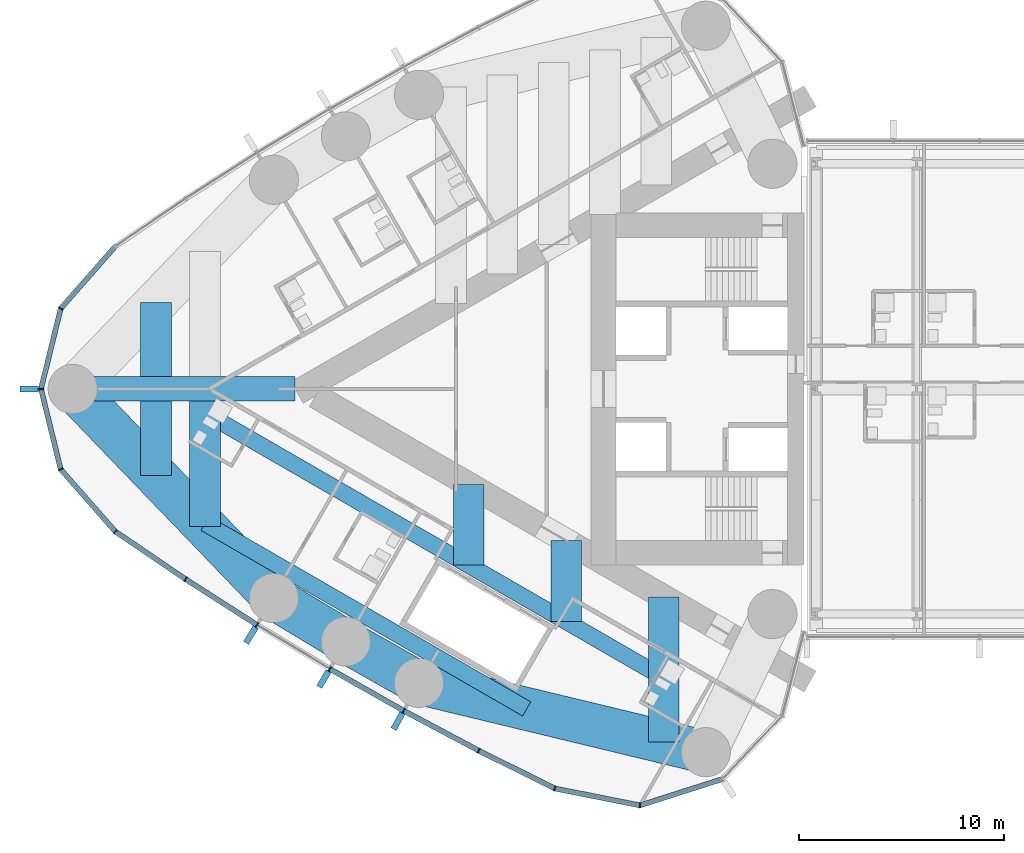
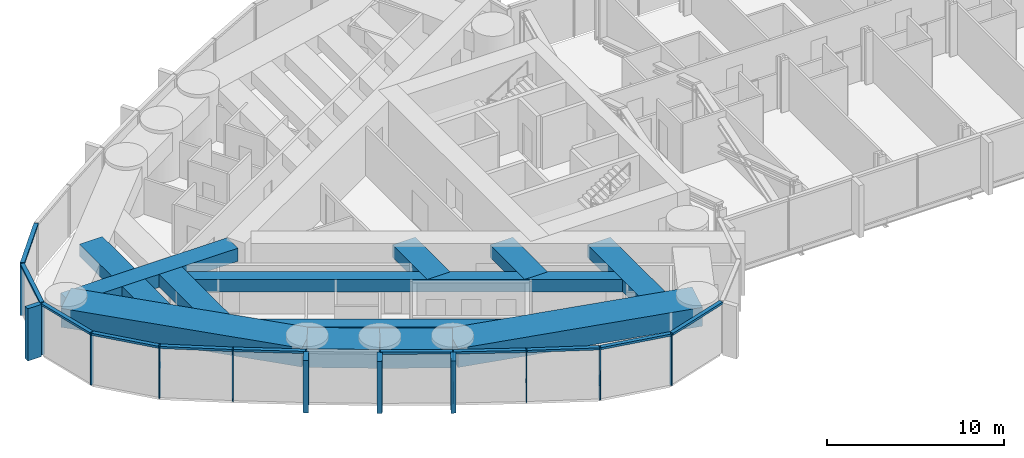
# One storey, part 2 of 23: 26 members, 13 beams, 1 element without a shape of its own.
"""IFC4 building model written with IfcOpenShell, lengths in metres."""

from ifc_helpers import new_model, si_unit, direction, frame, origin, origin_2d, place, context, subcontext, project, spatial, rectangle, hollow_rectangle, extrude, material, material_profile, profile_set, type_object, element, aggregate, save


model = new_model("IFC4")

# Units and contexts
model_context = context("Model", 3, precision=1e-05, world=origin(), true_north=direction((0.0, 1.0)))
body_context = subcontext(model_context, "Body", "Model", "MODEL_VIEW")
ifc_project = project(units=[si_unit("LENGTHUNIT", "METRE"), si_unit("AREAUNIT", "SQUARE_METRE"), si_unit("VOLUMEUNIT", "CUBIC_METRE"), si_unit("PLANEANGLEUNIT", "RADIAN"), si_unit("MASSUNIT", "GRAM", prefix="KILO")], contexts=[model_context])

# Site, building, storey
site_placement = place(None, origin())
site = spatial("IfcSite", under=ifc_project, at=site_placement, CompositionType="ELEMENT")
building_placement = place(site_placement, origin())
building = spatial("IfcBuilding", under=site, at=building_placement, Name="Lancet Gate Hotel", CompositionType="ELEMENT")
storey_placement = place(building_placement, frame((0.0, 0.0, 218.89990234375)))
storey = spatial("IfcBuildingStorey", under=building, at=storey_placement, Name="L58", CompositionType="ELEMENT", Elevation=218.89990234375)

# Curtain wall, members
ifc_material_1 = material(Name="Aluminium curtain wall", Category="aluminium")
curtain_wall_type = type_object("IfcCurtainWallType", Name="Tower unitised curtain wall", PredefinedType="USERDEFINED", material=ifc_material_1)
curtain_wall_placement = place(storey_placement, origin())
curtain_wall = element("IfcCurtainWall", 1, at=curtain_wall_placement, inside=storey, type_object=curtain_wall_type, Name="T1 L58 curtain wall 1", ObjectType="UNITISED CURTAIN WALL", PredefinedType="USERDEFINED")
ifc_material_2 = material(Name="Aluminium mullion", Category="aluminium")
ifc_material_profile_1 = material_profile(ifc_material_2, rectangle(XDim=0.06494140625, YDim=0.25, at=origin_2d()), Name="MULLION 65x250")
ifc_profile_set_1 = profile_set([ifc_material_profile_1], Name="Aluminium mullion")
member_type_1 = type_object("IfcMemberType", Name="Aluminium mullion 65x250", PredefinedType="MULLION", material=ifc_profile_set_1)
member_1_placement = place(storey_placement, frame((-63.822021484375, 3.928466796875, 0.0), z_axis=(0.0, 0.0, 1.0), x_axis=(-0.46217799743, -0.886787177789, 0.0)))
member_1 = element("IfcMember", 2, at=member_1_placement, type_object=member_type_1, Name="T1 L58 curtain wall 1 mullion 12", PredefinedType="MULLION", context=body_context, shape_type="SweptSolid", body=[
    extrude(rectangle(XDim=0.06494140625, YDim=0.25, at=origin_2d()), origin(), (0.0, 0.0, 1.0), 3.60009765625),
])
member_2_placement = place(storey_placement, frame((-64.7841796875, 0.0, 0.0), z_axis=(0.0, 0.0, 1.0), x_axis=(0.0, -1.0, 0.0)))
member_2 = element("IfcMember", 3, at=member_2_placement, type_object=member_type_1, Name="T1 L58 curtain wall 1 mullion 13", PredefinedType="MULLION", context=body_context, shape_type="SweptSolid", body=[
    extrude(rectangle(XDim=0.06494140625, YDim=0.25, at=origin_2d()), origin(), (0.0, 0.0, 1.0), 3.60009765625),
])
member_3_placement = place(storey_placement, frame((-63.822021484375, -3.928466796875, 0.0), z_axis=(0.0, 0.0, 1.0), x_axis=(0.46217799743, -0.886787177789, 0.0)))
member_3 = element("IfcMember", 4, at=member_3_placement, type_object=member_type_1, Name="T1 L58 curtain wall 1 mullion 14", PredefinedType="MULLION", context=body_context, shape_type="SweptSolid", body=[
    extrude(rectangle(XDim=0.06494140625, YDim=0.25, at=origin_2d()), origin(), (0.0, 0.0, 1.0), 3.60009765625),
])
member_4_placement = place(storey_placement, frame((-61.15283203125, -6.967529296875, 0.0), z_axis=(0.0, 0.0, 1.0), x_axis=(0.750715604757, -0.660625522345, 0.0)))
member_4 = element("IfcMember", 5, at=member_4_placement, type_object=member_type_1, Name="T1 L58 curtain wall 1 mullion 15", PredefinedType="MULLION", context=body_context, shape_type="SweptSolid", body=[
    extrude(rectangle(XDim=0.06494140625, YDim=0.25, at=origin_2d()), origin(), (0.0, 0.0, 1.0), 3.60009765625),
])
member_5_placement = place(storey_placement, frame((-57.72021484375, -9.298095703125, 0.0), z_axis=(0.0, 0.0, 1.0), x_axis=(0.834827178542, -0.550512108829, 0.0)))
member_5 = element("IfcMember", 6, at=member_5_placement, type_object=member_type_1, Name="T1 L58 curtain wall 1 mullion 16", PredefinedType="MULLION", context=body_context, shape_type="SweptSolid", body=[
    extrude(rectangle(XDim=0.06494140625, YDim=0.25, at=origin_2d()), origin(), (0.0, 0.0, 1.0), 3.60009765625),
])
member_6_placement = place(storey_placement, frame((-54.225830078125, -11.535400390625, 0.0), z_axis=(0.0, 0.0, 1.0), x_axis=(0.849342388216, -0.527842313176, 0.0)))
member_6 = element("IfcMember", 7, at=member_6_placement, type_object=member_type_1, Name="T1 L58 curtain wall 1 mullion 17", PredefinedType="MULLION", context=body_context, shape_type="SweptSolid", body=[
    extrude(rectangle(XDim=0.06494140625, YDim=0.25, at=origin_2d()), origin(), (0.0, 0.0, 1.0), 3.60009765625),
])
member_7_placement = place(storey_placement, frame((-50.67236328125, -13.677978515625, 0.0), z_axis=(0.0, 0.0, 1.0), x_axis=(0.863242155108, -0.504790037189, 0.0)))
member_7 = element("IfcMember", 8, at=member_7_placement, type_object=member_type_1, Name="T1 L58 curtain wall 1 mullion 18", PredefinedType="MULLION", context=body_context, shape_type="SweptSolid", body=[
    extrude(rectangle(XDim=0.06494140625, YDim=0.25, at=origin_2d()), origin(), (0.0, 0.0, 1.0), 3.60009765625),
])
member_8_placement = place(storey_placement, frame((-47.062744140625, -15.72412109375, 0.0), z_axis=(0.0, 0.0, 1.0), x_axis=(0.876516407283, -0.481371984815, 0.0)))
member_8 = element("IfcMember", 9, at=member_8_placement, type_object=member_type_1, Name="T1 L58 curtain wall 1 mullion 19", PredefinedType="MULLION", context=body_context, shape_type="SweptSolid", body=[
    extrude(rectangle(XDim=0.06494140625, YDim=0.25, at=origin_2d()), origin(), (0.0, 0.0, 1.0), 3.60009765625),
])
member_9_placement = place(storey_placement, frame((-43.3994140625, -17.67236328125, 0.0), z_axis=(0.0, 0.0, 1.0), x_axis=(0.889155526065, -0.457605125046, 0.0)))
member_9 = element("IfcMember", 10, at=member_9_placement, type_object=member_type_1, Name="T1 L58 curtain wall 1 mullion 20", PredefinedType="MULLION", context=body_context, shape_type="SweptSolid", body=[
    extrude(rectangle(XDim=0.06494140625, YDim=0.25, at=origin_2d()), origin(), (0.0, 0.0, 1.0), 3.60009765625),
])
member_10_placement = place(storey_placement, frame((-39.684814453125, -19.521240234375, 0.0), z_axis=(0.0, 0.0, 1.0), x_axis=(0.946887706423, -0.321564412561, 0.0)))
member_10 = element("IfcMember", 11, at=member_10_placement, type_object=member_type_1, Name="T1 L58 curtain wall 1 mullion 21", PredefinedType="MULLION", context=body_context, shape_type="SweptSolid", body=[
    extrude(rectangle(XDim=0.06494140625, YDim=0.25, at=origin_2d()), origin(), (0.0, 0.0, 1.0), 3.60009765625),
])
member_11_placement = place(storey_placement, frame((-35.520751953125, -20.347900390625, 0.0), z_axis=(0.0, 0.0, 1.0), x_axis=(0.998409168318, 0.056383797491, 0.0)))
member_11 = element("IfcMember", 12, at=member_11_placement, type_object=member_type_1, Name="T1 L58 curtain wall 1 mullion 22", PredefinedType="MULLION", context=body_context, shape_type="SweptSolid", body=[
    extrude(rectangle(XDim=0.06494140625, YDim=0.25, at=origin_2d()), origin(), (0.0, 0.0, 1.0), 3.60009765625),
])
ifc_material_3 = material(Name="Aluminium transom", Category="aluminium")
ifc_material_profile_2 = material_profile(ifc_material_3, rectangle(XDim=0.25, YDim=0.14990234375, at=origin_2d()), Name="TRANSOM 250x150")
ifc_profile_set_2 = profile_set([ifc_material_profile_2], Name="Aluminium transom")
member_type_2 = type_object("IfcMemberType", Name="Aluminium transom 250x150", PredefinedType="USERDEFINED", material=ifc_profile_set_2)
member_12_placement = place(storey_placement, frame((-61.17431640625, 6.943115234375, 3.525146484375), z_axis=(-0.659893258593, -0.751359359603, 0.0), x_axis=(0.751359359603, -0.659893258593, 0.0)))
member_12 = element("IfcMember", 13, at=member_12_placement, type_object=member_type_2, Name="T1 L58 curtain wall 1 transom 11", ObjectType="TRANSOM", PredefinedType="USERDEFINED", context=body_context, shape_type="SweptSolid", body=[
    extrude(rectangle(XDim=0.25, YDim=0.14990234375, at=origin_2d()), origin(), (0.0, 0.0, 1.0), 3.979736328125),
])
member_13_placement = place(storey_placement, frame((-63.829833984375, 3.89697265625, 3.525146484375), z_axis=(-0.237899438372, -0.971289790548, 0.0), x_axis=(0.971289790548, -0.237899438372, 0.0)))
member_13 = element("IfcMember", 14, at=member_13_placement, type_object=member_type_2, Name="T1 L58 curtain wall 1 transom 12", ObjectType="TRANSOM", PredefinedType="USERDEFINED", context=body_context, shape_type="SweptSolid", body=[
    extrude(rectangle(XDim=0.25, YDim=0.14990234375, at=origin_2d()), origin(), (0.0, 0.0, 1.0), 3.979736328125),
])
member_14_placement = place(storey_placement, frame((-64.776611328125, -0.031494140625, 3.525146484375), z_axis=(0.237899438372, -0.971289790548, 0.0), x_axis=(0.971289790548, 0.237899438372, 0.0)))
member_14 = element("IfcMember", 15, at=member_14_placement, type_object=member_type_2, Name="T1 L58 curtain wall 1 transom 13", ObjectType="TRANSOM", PredefinedType="USERDEFINED", context=body_context, shape_type="SweptSolid", body=[
    extrude(rectangle(XDim=0.25, YDim=0.14990234375, at=origin_2d()), origin(), (0.0, 0.0, 1.0), 3.979736328125),
])
member_15_placement = place(storey_placement, frame((-63.800537109375, -3.952880859375, 3.525146484375), z_axis=(0.659893258593, -0.751359359603, 0.0), x_axis=(0.751359359603, 0.659893258593, 0.0)))
member_15 = element("IfcMember", 16, at=member_15_placement, type_object=member_type_2, Name="T1 L58 curtain wall 1 transom 14", ObjectType="TRANSOM", PredefinedType="USERDEFINED", context=body_context, shape_type="SweptSolid", body=[
    extrude(rectangle(XDim=0.25, YDim=0.14990234375, at=origin_2d()), origin(), (0.0, 0.0, 1.0), 3.979736328125),
])
member_16_placement = place(storey_placement, frame((-61.1259765625, -6.98583984375, 3.525146484375), z_axis=(0.827348780456, -0.561688521761, 0.0), x_axis=(0.561688521761, 0.827348780456, 0.0)))
member_16 = element("IfcMember", 17, at=member_16_placement, type_object=member_type_2, Name="T1 L58 curtain wall 1 transom 15", ObjectType="TRANSOM", PredefinedType="USERDEFINED", context=body_context, shape_type="SweptSolid", body=[
    extrude(rectangle(XDim=0.25, YDim=0.14990234375, at=origin_2d()), origin(), (0.0, 0.0, 1.0), 4.083984375),
])
member_17_placement = place(storey_placement, frame((-57.692626953125, -9.315673828125, 3.525146484375), z_axis=(0.842144358733, -0.539252147937, 0.0), x_axis=(0.539252147937, 0.842144358733, 0.0)))
member_17 = element("IfcMember", 18, at=member_17_placement, type_object=member_type_2, Name="T1 L58 curtain wall 1 transom 16", ObjectType="TRANSOM", PredefinedType="USERDEFINED", context=body_context, shape_type="SweptSolid", body=[
    extrude(rectangle(XDim=0.25, YDim=0.14990234375, at=origin_2d()), origin(), (0.0, 0.0, 1.0), 4.084228515625),
])
member_18_placement = place(storey_placement, frame((-50.644287109375, -13.694091796875, 3.525146484375), z_axis=(0.869977740049, -0.493090997503, 0.0), x_axis=(0.493090997503, 0.869977740049, 0.0)))
member_18 = element("IfcMember", 19, at=member_18_placement, type_object=member_type_2, Name="T1 L58 curtain wall 1 transom 18", ObjectType="TRANSOM", PredefinedType="USERDEFINED", context=body_context, shape_type="SweptSolid", body=[
    extrude(rectangle(XDim=0.25, YDim=0.14990234375, at=origin_2d()), origin(), (0.0, 0.0, 1.0), 4.084228515625),
])
member_19_placement = place(storey_placement, frame((-47.0341796875, -15.739501953125, 3.525146484375), z_axis=(0.882944619844, -0.469477154171, 0.0), x_axis=(0.469477154171, 0.882944619844, 0.0)))
member_19 = element("IfcMember", 20, at=member_19_placement, type_object=member_type_2, Name="T1 L58 curtain wall 1 transom 19", ObjectType="TRANSOM", PredefinedType="USERDEFINED", context=body_context, shape_type="SweptSolid", body=[
    extrude(rectangle(XDim=0.25, YDim=0.14990234375, at=origin_2d()), origin(), (0.0, 0.0, 1.0), 4.084228515625),
])
member_20_placement = place(storey_placement, frame((-43.370361328125, -17.686767578125, 3.525146484375), z_axis=(0.895226720479, -0.445610950202, 0.0), x_axis=(0.445610950202, 0.895226720479, 0.0)))
member_20 = element("IfcMember", 21, at=member_20_placement, type_object=member_type_2, Name="T1 L58 curtain wall 1 transom 20", ObjectType="TRANSOM", PredefinedType="USERDEFINED", context=body_context, shape_type="SweptSolid", body=[
    extrude(rectangle(XDim=0.25, YDim=0.14990234375, at=origin_2d()), origin(), (0.0, 0.0, 1.0), 4.08447265625),
])
member_21_placement = place(storey_placement, frame((-39.65283203125, -19.527587890625, 3.525146484375), z_axis=(0.980858234867, -0.194723196085, 0.0), x_axis=(0.194723196085, 0.980858234867, 0.0)))
member_21 = element("IfcMember", 22, at=member_21_placement, type_object=member_type_2, Name="T1 L58 curtain wall 1 transom 21", ObjectType="TRANSOM", PredefinedType="USERDEFINED", context=body_context, shape_type="SweptSolid", body=[
    extrude(rectangle(XDim=0.25, YDim=0.14990234375, at=origin_2d()), origin(), (0.0, 0.0, 1.0), 4.18017578125),
])
member_22_placement = place(storey_placement, frame((-35.48974609375, -20.338134765625, 3.525146484375), z_axis=(0.952697713775, 0.303919506068, 0.0), x_axis=(-0.303919506068, 0.952697713775, 0.0)))
member_22 = element("IfcMember", 23, at=member_22_placement, type_object=member_type_2, Name="T1 L58 curtain wall 1 transom 22", ObjectType="TRANSOM", PredefinedType="USERDEFINED", context=body_context, shape_type="SweptSolid", body=[
    extrude(rectangle(XDim=0.25, YDim=0.14990234375, at=origin_2d()), origin(), (0.0, 0.0, 1.0), 4.180419921875),
])

# Beams
ifc_material_4 = material(Name="Concrete C50/60", Category="concrete")
ifc_material_profile_3 = material_profile(ifc_material_4, rectangle(XDim=2.10009765625, YDim=1.300048828125, at=origin_2d()), Name="RC 2100x1300")
ifc_profile_set_3 = profile_set([ifc_material_profile_3], Name="Concrete C50/60")
beam_type_1 = type_object("IfcBeamType", Name="Edge beam RC 2100x1300", PredefinedType="SPANDREL", material=ifc_profile_set_3)
beam_1_placement = place(storey_placement, frame((-63.234375, 0.0, 2.7001953125), z_axis=(0.693134527053, -0.720808245934, 0.0), x_axis=(0.720808245934, 0.693134527053, 0.0)))
element("IfcBeam", 24, at=beam_1_placement, inside=storey, type_object=beam_type_1, Name="T1 edge beam EB1 L58", PredefinedType="SPANDREL", context=body_context, shape_type="SweptSolid", body=[
    extrude(rectangle(XDim=2.10009765625, YDim=1.300048828125, at=origin_2d()), origin(), (0.0, 0.0, 1.0), 14.17724609375),
])
for number, where, z_axis, x_axis, name in (
    (25, (-53.40771484375, -10.218994140625, 2.7001953125), (0.856358061538, -0.516382484636, 0.0), (0.516382484636, 0.856358061538, 0.0), "T1 edge beam EB1 L58"),
    (26, (-49.89013671875, -12.340087890625, 2.7001953125), (0.869978841992, -0.493089053301, 0.0), (0.493089053301, 0.869978841992, 0.0), "T1 edge beam EB1 L58"),
):
    element("IfcBeam", number, at=place(storey_placement, frame(where, z_axis=z_axis, x_axis=x_axis)), inside=storey, type_object=beam_type_1, Name=name, PredefinedType="SPANDREL", context=body_context, shape_type="SweptSolid", body=[
        extrude(rectangle(XDim=2.10009765625, YDim=1.300048828125, at=origin_2d()), origin(), (0.0, 0.0, 1.0), 4.107666015625),
    ])
beam_2_placement = place(storey_placement, frame((-46.316650390625, -14.365478515625, 2.7001953125), z_axis=(0.972132796948, -0.234430853556, 0.0), x_axis=(0.234430853556, 0.972132796948, 0.0)))
element("IfcBeam", 27, at=beam_2_placement, inside=storey, type_object=beam_type_1, Name="T1 edge beam EB1 L58", PredefinedType="SPANDREL", context=body_context, shape_type="SweptSolid", body=[
    extrude(rectangle(XDim=2.10009765625, YDim=1.300048828125, at=origin_2d()), origin(), (0.0, 0.0, 1.0), 14.41748046875),
])

# Member
ifc_material_5 = material(Name="Precast concrete C50/60", Category="concrete")
ifc_material_profile_4 = material_profile(ifc_material_5, rectangle(XDim=0.300048828125, YDim=0.89990234375, at=origin_2d()), Name="FIN 300x900")
ifc_profile_set_4 = profile_set([ifc_material_profile_4], Name="Precast concrete C50/60")
member_type_3 = type_object("IfcMemberType", Name="Exposed concrete fin 300x900", PredefinedType="USERDEFINED", material=ifc_profile_set_4)
member_23_placement = place(storey_placement, frame((-65.359375, 0.0, 0.0), z_axis=(0.0, 0.0, 1.0), x_axis=(0.0, -1.0, 0.0)))
member_23 = element("IfcMember", 28, at=member_23_placement, type_object=member_type_3, Name="T1 L58 curtain wall 1 fin 13", ObjectType="FIN", PredefinedType="USERDEFINED", context=body_context, shape_type="SweptSolid", body=[
    extrude(rectangle(XDim=0.300048828125, YDim=0.89990234375, at=origin_2d()), origin(), (0.0, 0.0, 1.0), 3.60009765625),
])

member_24_placement = place(storey_placement, frame((-54.529296875, -12.02392578125, 0.0), z_axis=(0.0, 0.0, 1.0), x_axis=(0.849342388216, -0.527842313176, 0.0)))
member_24 = element("IfcMember", 29, at=member_24_placement, type_object=member_type_3, Name="T1 L58 curtain wall 1 fin 17", ObjectType="FIN", PredefinedType="USERDEFINED", context=body_context, shape_type="SweptSolid", body=[
    extrude(rectangle(XDim=0.300048828125, YDim=0.89990234375, at=origin_2d()), origin(), (0.0, 0.0, 1.0), 3.60009765625),
])

member_25_placement = place(storey_placement, frame((-50.962646484375, -14.17431640625, 0.0), z_axis=(0.0, 0.0, 1.0), x_axis=(0.863242155108, -0.504790037189, 0.0)))
member_25 = element("IfcMember", 30, at=member_25_placement, type_object=member_type_3, Name="T1 L58 curtain wall 1 fin 18", ObjectType="FIN", PredefinedType="USERDEFINED", context=body_context, shape_type="SweptSolid", body=[
    extrude(rectangle(XDim=0.300048828125, YDim=0.89990234375, at=origin_2d()), origin(), (0.0, 0.0, 1.0), 3.60009765625),
])

member_26_placement = place(storey_placement, frame((-47.339599609375, -16.22802734375, 0.0), z_axis=(0.0, 0.0, 1.0), x_axis=(0.876516407283, -0.481371984815, 0.0)))
member_26 = element("IfcMember", 31, at=member_26_placement, type_object=member_type_3, Name="T1 L58 curtain wall 1 fin 19", ObjectType="FIN", PredefinedType="USERDEFINED", context=body_context, shape_type="SweptSolid", body=[
    extrude(rectangle(XDim=0.300048828125, YDim=0.89990234375, at=origin_2d()), origin(), (0.0, 0.0, 1.0), 3.60009765625),
])

aggregate(curtain_wall, [member_1, member_2, member_23, member_3, member_4, member_5, member_6, member_24, member_7, member_25, member_8, member_26, member_9, member_10, member_11, member_12, member_13, member_14, member_15, member_16, member_17, member_18, member_19, member_20, member_21, member_22])

# Beams
ifc_material_6 = material(Name="Concrete C50/60", Category="concrete")
ifc_material_profile_5 = material_profile(ifc_material_6, rectangle(XDim=1.5, YDim=0.85009765625, at=origin_2d()), Name="RC 1500x850")
ifc_profile_set_5 = profile_set([ifc_material_profile_5], Name="Concrete C50/60")
beam_type_2 = type_object("IfcBeamType", Name="Floor beam RC 1500x850", PredefinedType="BEAM", material=ifc_profile_set_5)
beam_3_placement = place(storey_placement, frame((-34.353515625, -10.169921875, 2.925048828125), z_axis=(0.0, -1.0, 0.0), x_axis=(1.0, 0.0, 0.0)))
element("IfcBeam", 32, at=beam_3_placement, inside=storey, type_object=beam_type_2, Name="T1 floor beam F01N L58", PredefinedType="BEAM", context=body_context, shape_type="SweptSolid", body=[
    extrude(rectangle(XDim=1.5, YDim=0.85009765625, at=origin_2d()), origin(), (0.0, 0.0, 1.0), 7.08056640625),
])
beam_4_placement = place(storey_placement, frame((-56.768310546875, -0.60009765625, 2.925048828125), z_axis=(0.0, -1.0, 0.0), x_axis=(1.0, 0.0, 0.0)))
element("IfcBeam", 33, at=beam_4_placement, inside=storey, type_object=beam_type_2, Name="T1 floor beam F10N L58", PredefinedType="BEAM", context=body_context, shape_type="SweptSolid", body=[
    extrude(rectangle(XDim=1.5, YDim=0.85009765625, at=origin_2d()), origin(), (0.0, 0.0, 1.0), 6.1240234375),
])
for number, where, z_axis, x_axis, name in (
    (34, (-59.168212890625, 4.228271484375, 2.925048828125), (0.0, -1.0, 0.0), (1.0, 0.0, 0.0), "T1 floor beam F11S L58"),
    (35, (-59.168212890625, -0.60009765625, 2.925048828125), (0.0, -1.0, 0.0), (1.0, 0.0, 0.0), "T1 floor beam F12N L58"),
):
    element("IfcBeam", number, at=place(storey_placement, frame(where, z_axis=z_axis, x_axis=x_axis)), inside=storey, type_object=beam_type_2, Name=name, PredefinedType="BEAM", context=body_context, shape_type="SweptSolid", body=[
        extrude(rectangle(XDim=1.5, YDim=0.85009765625, at=origin_2d()), origin(), (0.0, 0.0, 1.0), 3.628173828125),
    ])
for number, where, z_axis, x_axis, name in (
    (36, (-39.122314453125, -7.41650390625, 2.925048828125), (0.0, -1.0, 0.0), (1.0, 0.0, 0.0), "T1 floor beam F04NA L58"),
    (37, (-43.891357421875, -4.663330078125, 2.925048828125), (0.0, -1.0, 0.0), (1.0, 0.0, 0.0), "T1 floor beam F07NA L58"),
):
    element("IfcBeam", number, at=place(storey_placement, frame(where, z_axis=z_axis, x_axis=x_axis)), inside=storey, type_object=beam_type_2, Name=name, PredefinedType="BEAM", context=body_context, shape_type="SweptSolid", body=[
        extrude(rectangle(XDim=1.5, YDim=0.85009765625, at=origin_2d()), origin(), (0.0, 0.0, 1.0), 3.945556640625),
    ])
ifc_material_7 = material(Name="Concrete C50/60", Category="concrete")
ifc_material_profile_6 = material_profile(ifc_material_7, rectangle(XDim=1.199951171875, YDim=0.89990234375, at=origin_2d()), Name="RC 1200x900")
ifc_profile_set_6 = profile_set([ifc_material_profile_6], Name="Concrete C50/60")
beam_type_3 = type_object("IfcBeamType", Name="Radial floor beam RC 1200x900", PredefinedType="BEAM", material=ifc_profile_set_6)
beam_5_placement = place(storey_placement, frame((-63.234375, 0.0, 2.900146484375), z_axis=(1.0, 0.0, 0.0), x_axis=(0.0, 1.0, 0.0)))
element("IfcBeam", 38, at=beam_5_placement, inside=storey, type_object=beam_type_3, Name="T1 radial beam CA L58", PredefinedType="BEAM", context=body_context, shape_type="SweptSolid", body=[
    extrude(rectangle(XDim=1.199951171875, YDim=0.89990234375, at=origin_2d()), origin(), (0.0, 0.0, 1.0), 10.8662109375),
])
ifc_material_8 = material(Name="Steel S460QL", Category="steel")
ifc_material_profile_7 = material_profile(ifc_material_8, hollow_rectangle(XDim=0.800048828125, YDim=0.85009765625, WallThickness=0.080078125, at=origin_2d()), Name="BOX 850x800x80")
ifc_profile_set_7 = profile_set([ifc_material_profile_7], Name="Steel S460QL")
beam_type_4 = type_object("IfcBeamType", Name="Trimmer beam BOX 850x800x80", PredefinedType="BEAM", material=ifc_profile_set_7)
beam_6_placement = place(storey_placement, frame((-34.353515625, -14.115234375, 2.925048828125), z_axis=(-0.866038088301, 0.499978029129, 0.0), x_axis=(-0.499978029129, -0.866038088301, 0.0)))
element("IfcBeam", 39, at=beam_6_placement, inside=storey, type_object=beam_type_4, Name="T1 trimmer beam TR01N L58", PredefinedType="BEAM", context=body_context, shape_type="SweptSolid", body=[
    extrude(hollow_rectangle(XDim=0.800048828125, YDim=0.85009765625, WallThickness=0.080078125, at=origin_2d()), origin(), (0.0, 0.0, 1.0), 25.882080078125),
])
beam_7_placement = place(storey_placement, frame((-41.05322265625, -15.634765625, 2.925048828125), z_axis=(-0.866039732055, 0.499975181887, 0.0), x_axis=(-0.499975181887, -0.866039732055, 0.0)))
element("IfcBeam", 40, at=beam_7_placement, inside=storey, type_object=beam_type_4, Name="T1 trimmer beam TR02N L58", PredefinedType="BEAM", context=body_context, shape_type="SweptSolid", body=[
    extrude(hollow_rectangle(XDim=0.800048828125, YDim=0.85009765625, WallThickness=0.080078125, at=origin_2d()), origin(), (0.0, 0.0, 1.0), 18.14599609375),
])

save(model, "model.ifc")
